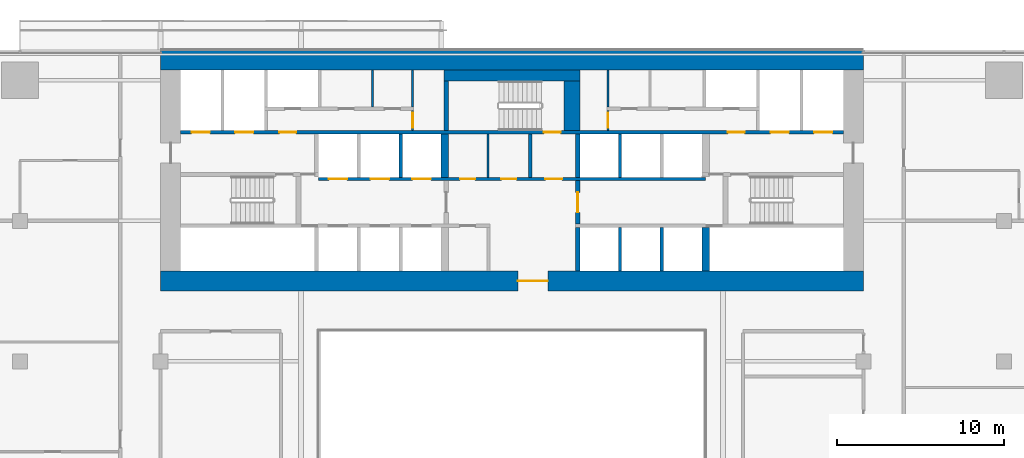
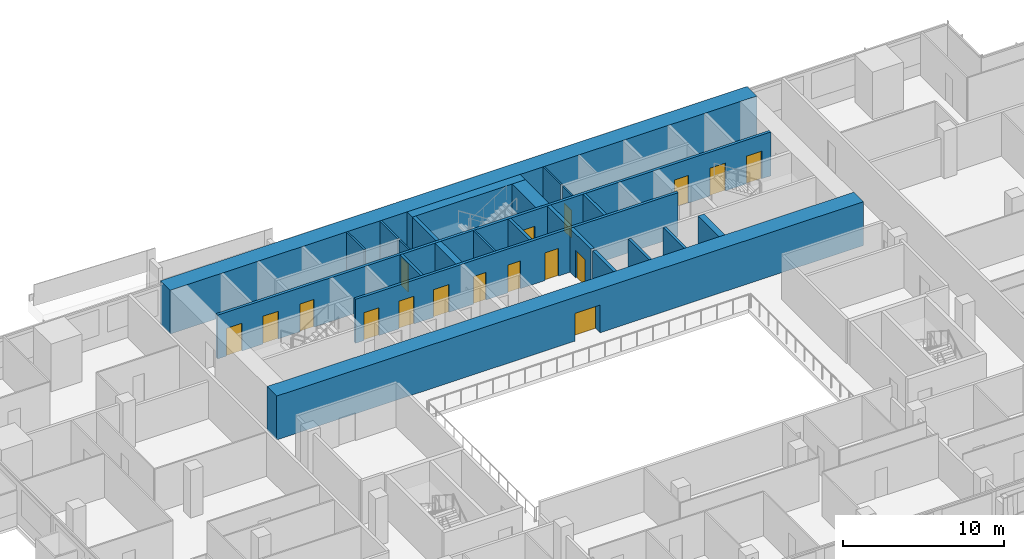
# One storey, part 21 of 27: 23 walls, 17 doors, 17 openings.
"""IFC4 building model written with IfcOpenShell, lengths in metres."""

import ifcopenshell
import ifcopenshell.guid

model = None  # the IFC model being written
_history = None  # IfcOwnerHistory: only IFC2X3 demands one
_inside = {}  # id of a spatial element -> (the spatial element, [elements in it])
_under = {}  # id of a project, library or spatial element -> (it, [spatial elements below it])
_declared = {}  # id of a project -> (the project, [libraries it declares])
_typed = {}  # id of a type object -> (the type object, [elements of that type])
_made_of = {}  # id of a material, layer set ... -> (it, [elements and type objects made of it])


def new_model(schema):
    """Start an empty IFC model of exactly this schema.

    Asked for "IFC4X3", IfcOpenShell would pick the latest addendum, in which some entities
    have other attributes; the version numbers below select the first issue.
    IFC2X3 requires an IfcOwnerHistory on every rooted entity: one is made here for all.
    """
    global model, _history
    if schema == "IFC4X3":
        model = ifcopenshell.file(schema_version=(4, 3, 0, 0))
    else:
        model = ifcopenshell.file(schema=schema)
    _inside.clear()
    _under.clear()
    _declared.clear()
    _typed.clear()
    _made_of.clear()
    _history = None
    if model.schema == "IFC2X3":
        org = make("IfcOrganization", Name="unknown")
        user = make(
            "IfcPersonAndOrganization",
            ThePerson=make("IfcPerson", FamilyName="unknown"),
            TheOrganization=org,
        )
        app = make(
            "IfcApplication",
            ApplicationDeveloper=org,
            Version="unknown",
            ApplicationFullName="unknown",
            ApplicationIdentifier="unknown",
        )
        _history = make(
            "IfcOwnerHistory",
            OwningUser=user,
            OwningApplication=app,
            ChangeAction="ADDED",
            CreationDate=0,
        )
    return model


def make(cls, **values):
    """One entity of the class cls with the attributes given. An attribute that is None is left unset."""
    return model.create_entity(
        cls, **{name: value for name, value in values.items() if value is not None}
    )


def rooted(cls, **values):
    """An entity with a GlobalId (a new one), such as an element, a storey or a relation."""
    return make(cls, GlobalId=ifcopenshell.guid.new(), OwnerHistory=_history, **values)


def si_unit(unit_type, name, prefix=None):
    """IfcSIUnit, for example si_unit("LENGTHUNIT", "METRE", prefix="MILLI")."""
    return make("IfcSIUnit", UnitType=unit_type, Prefix=prefix, Name=name)


def assignment(units):
    """IfcUnitAssignment: the units of a project."""
    return None if units is None else make("IfcUnitAssignment", Units=units)


def point(xyz):
    """IfcCartesianPoint."""
    return None if xyz is None else make("IfcCartesianPoint", Coordinates=xyz)


def direction(xyz):
    """IfcDirection."""
    return None if xyz is None else make("IfcDirection", DirectionRatios=xyz)


def frame(location, z_axis=None, x_axis=None):
    """IfcAxis2Placement3D, a coordinate frame: its origin and axes. An axis left out is left unset."""
    return make(
        "IfcAxis2Placement3D",
        Location=point(location),
        Axis=direction(z_axis),
        RefDirection=direction(x_axis),
    )


def frame_2d(location, x_axis=None):
    """IfcAxis2Placement2D, a coordinate frame in the plane: its origin and x axis."""
    return make(
        "IfcAxis2Placement2D", Location=point(location), RefDirection=direction(x_axis)
    )


def origin():
    """The frame at (0, 0, 0) with its axes left unset."""
    return frame((0.0, 0.0, 0.0))


def place(relative_to, where):
    """IfcLocalPlacement: puts the frame where relative to a parent placement (None: the world)."""
    return make(
        "IfcLocalPlacement", PlacementRelTo=relative_to, RelativePlacement=where
    )


def context(
    kind, dimensions, precision=None, world=None, true_north=None, identifier=None
):
    """IfcGeometricRepresentationContext, for example the 3D "Model" context."""
    return make(
        "IfcGeometricRepresentationContext",
        ContextIdentifier=identifier,
        ContextType=kind,
        CoordinateSpaceDimension=dimensions,
        Precision=precision,
        WorldCoordinateSystem=world,
        TrueNorth=true_north,
    )


def subcontext(parent, identifier, kind, view, scale=None):
    """IfcGeometricRepresentationSubContext, for example "Body" below "Model"."""
    return make(
        "IfcGeometricRepresentationSubContext",
        ContextIdentifier=identifier,
        ContextType=kind,
        ParentContext=parent,
        TargetScale=scale,
        TargetView=view,
    )


def project(units=None, contexts=None):
    """IfcProject with its units and contexts."""
    return rooted(
        "IfcProject",
        Name="project",
        RepresentationContexts=contexts,
        UnitsInContext=assignment(units),
    )


def spatial(cls, under=None, at=None, **own):
    """A site, building, storey or space (cls), placed at a placement, below another one or the project."""
    s = rooted(cls, ObjectPlacement=at, **own)
    if under is not None:
        _under.setdefault(under.id(), (under, []))[1].append(s)
    return s


def profile(cls, at=None, kind="AREA", **sizes):
    """A parametric profile (cls). Its sizes go by their IFC names, for example OverallWidth=200.0."""
    return make(cls, ProfileType=kind, Position=at, **sizes)


def rectangle(**sizes):
    """IfcRectangleProfileDef."""
    return profile("IfcRectangleProfileDef", **sizes)


def extrude(swept, where, along, depth):
    """IfcExtrudedAreaSolid: the profile swept, set in the frame where, extruded along a direction by depth."""
    return make(
        "IfcExtrudedAreaSolid",
        SweptArea=swept,
        Position=where,
        ExtrudedDirection=direction(along),
        Depth=depth,
    )


def shape(context_of_items, identifier, shape_type, items):
    """IfcShapeRepresentation: the items that make up one representation, for example the "Body"."""
    return make(
        "IfcShapeRepresentation",
        ContextOfItems=context_of_items,
        RepresentationIdentifier=identifier,
        RepresentationType=shape_type,
        Items=items,
    )


def material(Name=None, Category=None):
    """IfcMaterial."""
    return make("IfcMaterial", Name=Name, Category=Category)


def layer(
    of_material, thickness, ventilated=None, Name=None, Category=None, Priority=None
):
    """IfcMaterialLayer: one layer of a wall or slab, of a material (None: an air gap)."""
    return make(
        "IfcMaterialLayer",
        Material=of_material,
        LayerThickness=thickness,
        IsVentilated=ventilated,
        Name=Name,
        Category=Category,
        Priority=Priority,
    )


def layer_set(layers, Name=None):
    """IfcMaterialLayerSet."""
    return make("IfcMaterialLayerSet", MaterialLayers=layers, LayerSetName=Name)


def made_of(thing, what):
    """Note that an element or type object is made of a material, layer set ...; save() writes the relation."""
    if what is not None:
        _made_of.setdefault(what.id(), (what, []))[1].append(thing)
    return thing


def type_object(cls, material=None, **own):
    """A type object (cls), such as IfcWallType, which elements share."""
    return made_of(rooted(cls, **own), material)


def element(
    cls,
    number,
    at=None,
    inside=None,
    cuts=None,
    type_object=None,
    material=None,
    context=None,
    identifier="Body",
    shape_type=None,
    held_by="IfcProductDefinitionShape",
    body=None,
    shapes=None,
    **own,
):
    """One element of the class cls, such as IfcWall. Its Tag is "e" and its number.

    at: its placement. inside: the storey or other place that contains it. cuts: it is an
    opening in that element (IfcRelVoidsElement). A single representation is given by context,
    identifier, shape_type and body (its items); several are given by shapes. held_by: the class
    of the entity that holds the representations. save() writes the other relations.
    """
    e = rooted(cls, Tag="e%d" % number, ObjectPlacement=at, **own)
    if body is not None:
        shapes = [shape(context, identifier, shape_type, body)]
    if shapes is not None:
        e.Representation = make(held_by, Representations=shapes)
    if inside is not None:
        _inside.setdefault(inside.id(), (inside, []))[1].append(e)
    if cuts is not None:
        rooted(
            "IfcRelVoidsElement", RelatingBuildingElement=cuts, RelatedOpeningElement=e
        )
    if type_object is not None:
        _typed.setdefault(type_object.id(), (type_object, []))[1].append(e)
    return made_of(e, material)


def fill(opening, filler):
    """IfcRelFillsElement: the door or window that sits in an opening."""
    return rooted(
        "IfcRelFillsElement",
        RelatingOpeningElement=opening,
        RelatedBuildingElement=filler,
    )


def aggregate(whole, parts):
    """IfcRelAggregates: a whole, such as a stair, and the parts it consists of."""
    return rooted("IfcRelAggregates", RelatingObject=whole, RelatedObjects=parts)


def save(model, path):
    """Write the relations noted so far, then the file.

    IfcRelAggregates (storeys below a building ...), IfcRelContainedInSpatialStructure (elements
    in a storey), IfcRelDefinesByType, IfcRelAssociatesMaterial and IfcRelDeclares: one each for
    every whole, place, type object, material and project.
    """
    for whole, parts in _under.values():
        aggregate(whole, parts)
    for where, things in _inside.values():
        rooted(
            "IfcRelContainedInSpatialStructure",
            RelatedElements=things,
            RelatingStructure=where,
        )
    for kind, things in _typed.values():
        rooted("IfcRelDefinesByType", RelatedObjects=things, RelatingType=kind)
    for what, things in _made_of.values():
        rooted("IfcRelAssociatesMaterial", RelatedObjects=things, RelatingMaterial=what)
    for by, libraries in _declared.values():
        rooted("IfcRelDeclares", RelatingContext=by, RelatedDefinitions=libraries)
    model.write(path)


model = new_model("IFC4")

# Units and contexts
model_context = context("Model", 3, precision=1e-05, world=origin(), true_north=direction((0.0, 1.0)))
body_context = subcontext(model_context, "Body", "Model", "MODEL_VIEW")
ifc_project = project(units=[si_unit("LENGTHUNIT", "METRE"), si_unit("AREAUNIT", "SQUARE_METRE"), si_unit("VOLUMEUNIT", "CUBIC_METRE"), si_unit("PLANEANGLEUNIT", "RADIAN"), si_unit("MASSUNIT", "GRAM", prefix="KILO")], contexts=[model_context])

# Site, building, storey
site_placement = place(None, origin())
site = spatial("IfcSite", under=ifc_project, at=site_placement, CompositionType="ELEMENT")
building_placement = place(site_placement, origin())
building = spatial("IfcBuilding", under=site, at=building_placement, Name="Saffron Gate Tower", CompositionType="ELEMENT")
storey_placement = place(building_placement, frame((0.0, 0.0, 44.39990234375)))
storey = spatial("IfcBuildingStorey", under=building, at=storey_placement, Name="L09", CompositionType="ELEMENT", Elevation=44.39990234375)

# Wall, opening, door
ifc_material_1 = material(Name="Concrete C70", Category="concrete")
ifc_layer_1 = layer(ifc_material_1, 1.199951171875)
ifc_layer_set_1 = layer_set([ifc_layer_1], Name="CW1 RC core wall 1200 C70")
wall_type_1 = type_object("IfcWallType", Name="CW1 RC core wall 1200 C70", PredefinedType="SOLIDWALL", material=ifc_layer_set_1)
wall_1_placement = place(storey_placement, frame((66.60009765625, 61.800048828125, 0.0), z_axis=(0.0, 0.0, 1.0), x_axis=(1.0, 0.0, 0.0)))
wall_1 = element("IfcWall", 1, at=wall_1_placement, inside=storey, type_object=wall_type_1, Name="Wall CW1-L09-1", PredefinedType="SOLIDWALL", context=body_context, shape_type="SweptSolid", body=[
    extrude(rectangle(XDim=42.0, YDim=1.199951171875, at=frame_2d((21.0, 0.0))), origin(), (0.0, 0.0, 1.0), 3.320068359375),
])
opening_1_placement = place(wall_1_placement, frame((21.35009765625, 0.0, 0.0)))
opening_1 = element("IfcOpeningElement", 2, at=opening_1_placement, cuts=wall_1, Name="Opening CR-09", PredefinedType="OPENING", context=body_context, shape_type="SweptSolid", body=[
    extrude(rectangle(XDim=1.800048828125, YDim=2.10009765625, at=frame_2d((0.89990234375, 1.050048828125))), frame((0.0, 0.60986328125, 0.0), z_axis=(0.0, -1.0, 0.0), x_axis=(1.0, 0.0, 0.0)), (0.0, 0.0, 1.0), 1.219970703125),
])
ifc_material_2 = material(Name="Steel fire door set", Category="steel")
door_type_1 = type_object("IfcDoorType", Name="CD1 Core entrance door 1800x2100 EI 120", OperationType="NOTDEFINED", PredefinedType="DOOR", material=ifc_material_2)
door_1_placement = place(opening_1_placement, origin())
door_1 = element("IfcDoor", 3, at=door_1_placement, inside=storey, type_object=door_type_1, Name="DOOR CR-09", OperationType="DOUBLE_DOOR_SINGLE_SWING", OverallHeight=2.10009765625, OverallWidth=1.800048828125, PredefinedType="DOOR", context=body_context, shape_type="SweptSolid", body=[
    extrude(rectangle(XDim=1.800048828125, YDim=2.10009765625, at=frame_2d((0.89990234375, 1.050048828125))), frame((0.0, 0.02490234375, 0.0), z_axis=(0.0, -1.0, 0.0), x_axis=(1.0, 0.0, 0.0)), (0.0, 0.0, 1.0), 0.050048828125),
])
fill(opening_1, door_1)

# Walls
wall_2_placement = place(storey_placement, frame((66.60009765625, 75.0, 0.0), z_axis=(0.0, 0.0, 1.0), x_axis=(1.0, 0.0, 0.0)))
element("IfcWall", 4, at=wall_2_placement, inside=storey, type_object=wall_type_1, Name="Wall CW1-L09-2", PredefinedType="SOLIDWALL", context=body_context, shape_type="SweptSolid", body=[
    extrude(rectangle(XDim=42.0, YDim=1.199951171875, at=frame_2d((21.0, 0.0))), origin(), (0.0, 0.0, 1.0), 3.320068359375),
])
ifc_material_3 = material(Name="Gypsum board partition on steel studs", Category="steel")
ifc_layer_2 = layer(ifc_material_3, 0.199951171875)
ifc_layer_set_2 = layer_set([ifc_layer_2], Name="CW10 Core partition 200")
wall_type_2 = type_object("IfcWallType", Name="CW10 Core partition 200", PredefinedType="PARTITIONING", material=ifc_layer_set_2)
wall_3_placement = place(storey_placement, frame((88.699951171875, 68.0, 0.0), z_axis=(0.0, 0.0, 1.0), x_axis=(0.0, 1.0, 0.0)))
element("IfcWall", 5, at=wall_3_placement, inside=storey, type_object=wall_type_2, Name="Wall CW10-L09-25", PredefinedType="PARTITIONING", context=body_context, shape_type="SweptSolid", body=[
    extrude(rectangle(XDim=2.60009765625, YDim=0.199951171875, at=frame_2d((1.300048828125, 0.0))), origin(), (0.0, 0.0, 1.0), 3.320068359375),
])
ifc_layer_3 = layer(ifc_material_1, 0.25)
ifc_layer_set_3 = layer_set([ifc_layer_3], Name="CW2 RC core wall 250 C70")
wall_type_3 = type_object("IfcWallType", Name="CW2 RC core wall 250 C70", PredefinedType="SOLIDWALL", material=ifc_layer_set_3)
wall_4_placement = place(storey_placement, frame((91.52490234375, 62.39990234375, 0.0), z_axis=(0.0, 0.0, 1.0), x_axis=(0.0, 1.0, 0.0)))
element("IfcWall", 6, at=wall_4_placement, inside=storey, type_object=wall_type_3, Name="Wall CW2-L09-10", PredefinedType="SOLIDWALL", context=body_context, shape_type="SweptSolid", body=[
    extrude(rectangle(XDim=2.60009765625, YDim=0.25, at=frame_2d((1.300048828125, 0.0))), origin(), (0.0, 0.0, 1.0), 3.320068359375),
])

# Wall, opening, door
wall_5_placement = place(storey_placement, frame((91.52490234375, 65.199951171875, 0.0), z_axis=(0.0, 0.0, 1.0), x_axis=(0.0, 1.0, 0.0)))
wall_5 = element("IfcWall", 7, at=wall_5_placement, inside=storey, type_object=wall_type_3, Name="Wall CW2-L09-18", PredefinedType="SOLIDWALL", context=body_context, shape_type="SweptSolid", body=[
    extrude(rectangle(XDim=2.60009765625, YDim=0.25, at=frame_2d((1.300048828125, 0.0))), origin(), (0.0, 0.0, 1.0), 3.320068359375),
])
opening_2_placement = place(wall_5_placement, frame((0.699951171875, 0.0, 0.0)))
opening_2 = element("IfcOpeningElement", 8, at=opening_2_placement, cuts=wall_5, Name="Opening CR-01", PredefinedType="OPENING", context=body_context, shape_type="SweptSolid", body=[
    extrude(rectangle(XDim=1.199951171875, YDim=2.10009765625, at=frame_2d((0.60009765625, 1.050048828125))), frame((0.0, 0.135009765625, 0.0), z_axis=(0.0, -1.0, 0.0), x_axis=(1.0, 0.0, 0.0)), (0.0, 0.0, 1.0), 0.27001953125),
])
door_type_2 = type_object("IfcDoorType", Name="CD3 Lobby door 1200x2100 EI 120", OperationType="NOTDEFINED", PredefinedType="DOOR", material=ifc_material_2)
door_2_placement = place(opening_2_placement, origin())
door_2 = element("IfcDoor", 9, at=door_2_placement, inside=storey, type_object=door_type_2, Name="DOOR CR-01", OperationType="SINGLE_SWING_RIGHT", OverallHeight=2.10009765625, OverallWidth=1.199951171875, PredefinedType="DOOR", context=body_context, shape_type="SweptSolid", body=[
    extrude(rectangle(XDim=1.199951171875, YDim=2.10009765625, at=frame_2d((0.60009765625, 1.050048828125))), frame((0.0, 0.02490234375, 0.0), z_axis=(0.0, -1.0, 0.0), x_axis=(1.0, 0.0, 0.0)), (0.0, 0.0, 1.0), 0.050048828125),
])
fill(opening_2, door_2)

# Walls
wall_6_placement = place(storey_placement, frame((91.52490234375, 68.0, 0.0), z_axis=(0.0, 0.0, 1.0), x_axis=(0.0, 1.0, 0.0)))
element("IfcWall", 10, at=wall_6_placement, inside=storey, type_object=wall_type_3, Name="Wall CW2-L09-26", PredefinedType="SOLIDWALL", context=body_context, shape_type="SweptSolid", body=[
    extrude(rectangle(XDim=2.60009765625, YDim=0.25, at=frame_2d((1.300048828125, 0.0))), origin(), (0.0, 0.0, 1.0), 3.320068359375),
])
wall_7_placement = place(storey_placement, frame((83.675048828125, 70.800048828125, 0.0), z_axis=(0.0, 0.0, 1.0), x_axis=(0.0, 1.0, 0.0)))
element("IfcWall", 11, at=wall_7_placement, inside=storey, type_object=wall_type_3, Name="Wall CW2-L09-38", PredefinedType="SOLIDWALL", context=body_context, shape_type="SweptSolid", body=[
    extrude(rectangle(XDim=2.949951171875, YDim=0.25, at=frame_2d((1.47509765625, 0.0))), origin(), (0.0, 0.0, 1.0), 3.320068359375),
])
ifc_layer_4 = layer(ifc_material_1, 0.199951171875)
ifc_layer_set_4 = layer_set([ifc_layer_4], Name="CW3 RC core wall 200 C70")
wall_type_4 = type_object("IfcWallType", Name="CW3 RC core wall 200 C70", PredefinedType="SOLIDWALL", material=ifc_layer_set_4)
for number, where, z_axis, x_axis, name in (
    (12, (94.050048828125, 62.39990234375, 0.0), (0.0, 0.0, 1.0), (0.0, 1.0, 0.0), "Wall CW3-L09-11"),
    (13, (96.550048828125, 62.39990234375, 0.0), (0.0, 0.0, 1.0), (0.0, 1.0, 0.0), "Wall CW3-L09-12"),
):
    element("IfcWall", number, at=place(storey_placement, frame(where, z_axis=z_axis, x_axis=x_axis)), inside=storey, type_object=wall_type_4, Name=name, PredefinedType="SOLIDWALL", context=body_context, shape_type="SweptSolid", body=[
        extrude(rectangle(XDim=2.60009765625, YDim=0.199951171875, at=frame_2d((1.300048828125, 0.0))), origin(), (0.0, 0.0, 1.0), 3.320068359375),
    ])

# Wall, openings, doors
wall_8_placement = place(storey_placement, frame((76.050048828125, 67.89990234375, 0.0), z_axis=(0.0, 0.0, 1.0), x_axis=(1.0, 0.0, 0.0)))
wall_8 = element("IfcWall", 14, at=wall_8_placement, inside=storey, type_object=wall_type_4, Name="Wall CW3-L09-20", PredefinedType="SOLIDWALL", context=body_context, shape_type="SweptSolid", body=[
    extrude(rectangle(XDim=23.099853515625, YDim=0.199951171875, at=frame_2d((11.5498046875, 0.0))), origin(), (0.0, 0.0, 1.0), 3.320068359375),
])
opening_3_placement = place(wall_8_placement, frame((0.60009765625, 0.0, 0.0)))
opening_3 = element("IfcOpeningElement", 15, at=opening_3_placement, cuts=wall_8, Name="Opening LD-LR4", PredefinedType="OPENING", context=body_context, shape_type="SweptSolid", body=[
    extrude(rectangle(XDim=1.10009765625, YDim=2.10009765625, at=frame_2d((0.550048828125, 1.050048828125))), frame((0.0, 0.10986328125, 0.0), z_axis=(0.0, -1.0, 0.0), x_axis=(1.0, 0.0, 0.0)), (0.0, 0.0, 1.0), 0.219970703125),
])
opening_4_placement = place(wall_8_placement, frame((3.10009765625, 0.0, 0.0)))
opening_4 = element("IfcOpeningElement", 16, at=opening_4_placement, cuts=wall_8, Name="Opening LD-LR5", PredefinedType="OPENING", context=body_context, shape_type="SweptSolid", body=[
    extrude(rectangle(XDim=1.10009765625, YDim=2.10009765625, at=frame_2d((0.550048828125, 1.050048828125))), frame((0.0, 0.10986328125, 0.0), z_axis=(0.0, -1.0, 0.0), x_axis=(1.0, 0.0, 0.0)), (0.0, 0.0, 1.0), 0.219970703125),
])
opening_5_placement = place(wall_8_placement, frame((5.60009765625, 0.0, 0.0)))
opening_5 = element("IfcOpeningElement", 17, at=opening_5_placement, cuts=wall_8, Name="Opening LD-LR6", PredefinedType="OPENING", context=body_context, shape_type="SweptSolid", body=[
    extrude(rectangle(XDim=1.10009765625, YDim=2.10009765625, at=frame_2d((0.550048828125, 1.050048828125))), frame((0.0, 0.10986328125, 0.0), z_axis=(0.0, -1.0, 0.0), x_axis=(1.0, 0.0, 0.0)), (0.0, 0.0, 1.0), 0.219970703125),
])
opening_6_placement = place(wall_8_placement, frame((8.449951171875, 0.0, 0.0)))
opening_6 = element("IfcOpeningElement", 18, at=opening_6_placement, cuts=wall_8, Name="Opening CR-67", PredefinedType="OPENING", context=body_context, shape_type="SweptSolid", body=[
    extrude(rectangle(XDim=0.89990234375, YDim=2.10009765625, at=frame_2d((0.449951171875, 1.050048828125))), frame((0.0, 0.10986328125, 0.0), z_axis=(0.0, -1.0, 0.0), x_axis=(1.0, 0.0, 0.0)), (0.0, 0.0, 1.0), 0.219970703125),
])
opening_7_placement = place(wall_8_placement, frame((10.909912109375, 0.0, 0.0)))
opening_7 = element("IfcOpeningElement", 19, at=opening_7_placement, cuts=wall_8, Name="Opening CR-68", PredefinedType="OPENING", context=body_context, shape_type="SweptSolid", body=[
    extrude(rectangle(XDim=0.89990234375, YDim=2.10009765625, at=frame_2d((0.449951171875, 1.050048828125))), frame((0.0, 0.10986328125, 0.0), z_axis=(0.0, -1.0, 0.0), x_axis=(1.0, 0.0, 0.0)), (0.0, 0.0, 1.0), 0.219970703125),
])
opening_8_placement = place(wall_8_placement, frame((13.550048828125, 0.0, 0.0)))
opening_8 = element("IfcOpeningElement", 20, at=opening_8_placement, cuts=wall_8, Name="Opening CR-02", PredefinedType="OPENING", context=body_context, shape_type="SweptSolid", body=[
    extrude(rectangle(XDim=1.0, YDim=2.10009765625, at=frame_2d((0.5, 1.050048828125))), frame((0.0, 0.10986328125, 0.0), z_axis=(0.0, -1.0, 0.0), x_axis=(1.0, 0.0, 0.0)), (0.0, 0.0, 1.0), 0.219970703125),
])
door_type_3 = type_object("IfcDoorType", Name="CD4 Lobby door 1000x2100 EI 120", OperationType="NOTDEFINED", PredefinedType="DOOR", material=ifc_material_2)
door_3_placement = place(opening_8_placement, origin())
door_3 = element("IfcDoor", 21, at=door_3_placement, inside=storey, type_object=door_type_3, Name="DOOR CR-02", OperationType="SINGLE_SWING_LEFT", OverallHeight=2.10009765625, OverallWidth=1.0, PredefinedType="DOOR", context=body_context, shape_type="SweptSolid", body=[
    extrude(rectangle(XDim=1.0, YDim=2.10009765625, at=frame_2d((0.5, 1.050048828125))), frame((0.0, 0.02490234375, 0.0), z_axis=(0.0, -1.0, 0.0), x_axis=(1.0, 0.0, 0.0)), (0.0, 0.0, 1.0), 0.050048828125),
])
fill(opening_8, door_3)
door_type_4 = type_object("IfcDoorType", Name="CD9 Room door 900x2100 EI 60", OperationType="NOTDEFINED", PredefinedType="DOOR", material=ifc_material_2)
door_4_placement = place(opening_6_placement, origin())
door_4 = element("IfcDoor", 22, at=door_4_placement, inside=storey, type_object=door_type_4, Name="DOOR CR-67", OperationType="SINGLE_SWING_LEFT", OverallHeight=2.10009765625, OverallWidth=0.89990234375, PredefinedType="DOOR", context=body_context, shape_type="SweptSolid", body=[
    extrude(rectangle(XDim=0.89990234375, YDim=2.10009765625, at=frame_2d((0.449951171875, 1.050048828125))), frame((0.0, 0.02490234375, 0.0), z_axis=(0.0, -1.0, 0.0), x_axis=(1.0, 0.0, 0.0)), (0.0, 0.0, 1.0), 0.050048828125),
])
fill(opening_6, door_4)
door_5_placement = place(opening_7_placement, origin())
door_5 = element("IfcDoor", 23, at=door_5_placement, inside=storey, type_object=door_type_4, Name="DOOR CR-68", OperationType="SINGLE_SWING_LEFT", OverallHeight=2.10009765625, OverallWidth=0.89990234375, PredefinedType="DOOR", context=body_context, shape_type="SweptSolid", body=[
    extrude(rectangle(XDim=0.89990234375, YDim=2.10009765625, at=frame_2d((0.449951171875, 1.050048828125))), frame((0.0, 0.02490234375, 0.0), z_axis=(0.0, -1.0, 0.0), x_axis=(1.0, 0.0, 0.0)), (0.0, 0.0, 1.0), 0.050048828125),
])
fill(opening_7, door_5)
ifc_material_4 = material(Name="Stainless steel landing door", Category="steel")
door_type_5 = type_object("IfcDoorType", Name="LD Lift landing door 1100x2100 EI 120", OperationType="SLIDING_TO_LEFT", PredefinedType="DOOR", material=ifc_material_4)
door_6_placement = place(opening_3_placement, origin())
door_6 = element("IfcDoor", 24, at=door_6_placement, inside=storey, type_object=door_type_5, Name="LANDING DOOR LD-LR4", OperationType="SLIDING_TO_RIGHT", OverallHeight=2.10009765625, OverallWidth=1.10009765625, PredefinedType="DOOR", context=body_context, shape_type="SweptSolid", body=[
    extrude(rectangle(XDim=1.10009765625, YDim=2.10009765625, at=frame_2d((0.550048828125, 1.050048828125))), frame((0.0, 0.02490234375, 0.0), z_axis=(0.0, -1.0, 0.0), x_axis=(1.0, 0.0, 0.0)), (0.0, 0.0, 1.0), 0.050048828125),
])
fill(opening_3, door_6)
door_7_placement = place(opening_4_placement, origin())
door_7 = element("IfcDoor", 25, at=door_7_placement, inside=storey, type_object=door_type_5, Name="LANDING DOOR LD-LR5", OperationType="SLIDING_TO_RIGHT", OverallHeight=2.10009765625, OverallWidth=1.10009765625, PredefinedType="DOOR", context=body_context, shape_type="SweptSolid", body=[
    extrude(rectangle(XDim=1.10009765625, YDim=2.10009765625, at=frame_2d((0.550048828125, 1.050048828125))), frame((0.0, 0.02490234375, 0.0), z_axis=(0.0, -1.0, 0.0), x_axis=(1.0, 0.0, 0.0)), (0.0, 0.0, 1.0), 0.050048828125),
])
fill(opening_4, door_7)
door_8_placement = place(opening_5_placement, origin())
door_8 = element("IfcDoor", 26, at=door_8_placement, inside=storey, type_object=door_type_5, Name="LANDING DOOR LD-LR6", OperationType="SLIDING_TO_RIGHT", OverallHeight=2.10009765625, OverallWidth=1.10009765625, PredefinedType="DOOR", context=body_context, shape_type="SweptSolid", body=[
    extrude(rectangle(XDim=1.10009765625, YDim=2.10009765625, at=frame_2d((0.550048828125, 1.050048828125))), frame((0.0, 0.02490234375, 0.0), z_axis=(0.0, -1.0, 0.0), x_axis=(1.0, 0.0, 0.0)), (0.0, 0.0, 1.0), 0.050048828125),
])
fill(opening_5, door_8)

# Walls
for number, where, z_axis, x_axis, name in (
    (27, (80.949951171875, 68.0, 0.0), (0.0, 0.0, 1.0), (0.0, 1.0, 0.0), "Wall CW3-L09-22"),
    (28, (94.050048828125, 68.0, 0.0), (0.0, 0.0, 1.0), (0.0, 1.0, 0.0), "Wall CW3-L09-27"),
):
    element("IfcWall", number, at=place(storey_placement, frame(where, z_axis=z_axis, x_axis=x_axis)), inside=storey, type_object=wall_type_4, Name=name, PredefinedType="SOLIDWALL", context=body_context, shape_type="SweptSolid", body=[
        extrude(rectangle(XDim=2.60009765625, YDim=0.199951171875, at=frame_2d((1.300048828125, 0.0))), origin(), (0.0, 0.0, 1.0), 3.320068359375),
    ])

# Wall, openings, doors
wall_9_placement = place(storey_placement, frame((67.800048828125, 70.699951171875, 0.0), z_axis=(0.0, 0.0, 1.0), x_axis=(1.0, 0.0, 0.0)))
wall_9 = element("IfcWall", 29, at=wall_9_placement, inside=storey, type_object=wall_type_4, Name="Wall CW3-L09-34", PredefinedType="SOLIDWALL", context=body_context, shape_type="SweptSolid", body=[
    extrude(rectangle(XDim=39.599853515625, YDim=0.199951171875, at=frame_2d((19.7998046875, 0.0))), origin(), (0.0, 0.0, 1.0), 3.320068359375),
])
opening_9_placement = place(wall_9_placement, frame((0.64990234375, 0.0, 0.0)))
opening_9 = element("IfcOpeningElement", 30, at=opening_9_placement, cuts=wall_9, Name="Opening LD-FF1", PredefinedType="OPENING", context=body_context, shape_type="SweptSolid", body=[
    extrude(rectangle(XDim=1.10009765625, YDim=2.10009765625, at=frame_2d((0.550048828125, 1.050048828125))), frame((0.0, 0.10986328125, 0.0), z_axis=(0.0, -1.0, 0.0), x_axis=(1.0, 0.0, 0.0)), (0.0, 0.0, 1.0), 0.219970703125),
])
opening_10_placement = place(wall_9_placement, frame((3.25, 0.0, 0.0)))
opening_10 = element("IfcOpeningElement", 31, at=opening_10_placement, cuts=wall_9, Name="Opening LD-SV1", PredefinedType="OPENING", context=body_context, shape_type="SweptSolid", body=[
    extrude(rectangle(XDim=1.10009765625, YDim=2.10009765625, at=frame_2d((0.550048828125, 1.050048828125))), frame((0.0, 0.10986328125, 0.0), z_axis=(0.0, -1.0, 0.0), x_axis=(1.0, 0.0, 0.0)), (0.0, 0.0, 1.0), 0.219970703125),
])
opening_11_placement = place(wall_9_placement, frame((5.89990234375, 0.0, 0.0)))
opening_11 = element("IfcOpeningElement", 32, at=opening_11_placement, cuts=wall_9, Name="Opening CR-03", PredefinedType="OPENING", context=body_context, shape_type="SweptSolid", body=[
    extrude(rectangle(XDim=1.0, YDim=2.10009765625, at=frame_2d((0.5, 1.050048828125))), frame((0.0, 0.10986328125, 0.0), z_axis=(0.0, -1.0, 0.0), x_axis=(1.0, 0.0, 0.0)), (0.0, 0.0, 1.0), 0.219970703125),
])
opening_12_placement = place(wall_9_placement, frame((21.699951171875, 0.0, 0.0)))
opening_12 = element("IfcOpeningElement", 33, at=opening_12_placement, cuts=wall_9, Name="Opening CR-17", PredefinedType="OPENING", context=body_context, shape_type="SweptSolid", body=[
    extrude(rectangle(XDim=1.0, YDim=2.10009765625, at=frame_2d((0.5, 1.050048828125))), frame((0.0, 0.10986328125, 0.0), z_axis=(0.0, -1.0, 0.0), x_axis=(1.0, 0.0, 0.0)), (0.0, 0.0, 1.0), 0.219970703125),
])
opening_13_placement = place(wall_9_placement, frame((32.699951171875, 0.0, 0.0)))
opening_13 = element("IfcOpeningElement", 34, at=opening_13_placement, cuts=wall_9, Name="Opening CR-04", PredefinedType="OPENING", context=body_context, shape_type="SweptSolid", body=[
    extrude(rectangle(XDim=1.0, YDim=2.10009765625, at=frame_2d((0.5, 1.050048828125))), frame((0.0, 0.10986328125, 0.0), z_axis=(0.0, -1.0, 0.0), x_axis=(1.0, 0.0, 0.0)), (0.0, 0.0, 1.0), 0.219970703125),
])
opening_14_placement = place(wall_9_placement, frame((35.25, 0.0, 0.0)))
opening_14 = element("IfcOpeningElement", 35, at=opening_14_placement, cuts=wall_9, Name="Opening LD-SV2", PredefinedType="OPENING", context=body_context, shape_type="SweptSolid", body=[
    extrude(rectangle(XDim=1.10009765625, YDim=2.10009765625, at=frame_2d((0.550048828125, 1.050048828125))), frame((0.0, 0.10986328125, 0.0), z_axis=(0.0, -1.0, 0.0), x_axis=(1.0, 0.0, 0.0)), (0.0, 0.0, 1.0), 0.219970703125),
])
opening_15_placement = place(wall_9_placement, frame((37.85009765625, 0.0, 0.0)))
opening_15 = element("IfcOpeningElement", 36, at=opening_15_placement, cuts=wall_9, Name="Opening LD-FF2", PredefinedType="OPENING", context=body_context, shape_type="SweptSolid", body=[
    extrude(rectangle(XDim=1.10009765625, YDim=2.10009765625, at=frame_2d((0.550048828125, 1.050048828125))), frame((0.0, 0.10986328125, 0.0), z_axis=(0.0, -1.0, 0.0), x_axis=(1.0, 0.0, 0.0)), (0.0, 0.0, 1.0), 0.219970703125),
])
door_9_placement = place(opening_11_placement, origin())
door_9 = element("IfcDoor", 37, at=door_9_placement, inside=storey, type_object=door_type_3, Name="DOOR CR-03", OperationType="SINGLE_SWING_LEFT", OverallHeight=2.10009765625, OverallWidth=1.0, PredefinedType="DOOR", context=body_context, shape_type="SweptSolid", body=[
    extrude(rectangle(XDim=1.0, YDim=2.10009765625, at=frame_2d((0.5, 1.050048828125))), frame((0.0, 0.02490234375, 0.0), z_axis=(0.0, -1.0, 0.0), x_axis=(1.0, 0.0, 0.0)), (0.0, 0.0, 1.0), 0.050048828125),
])
fill(opening_11, door_9)
door_10_placement = place(opening_13_placement, origin())
door_10 = element("IfcDoor", 38, at=door_10_placement, inside=storey, type_object=door_type_3, Name="DOOR CR-04", OperationType="SINGLE_SWING_RIGHT", OverallHeight=2.10009765625, OverallWidth=1.0, PredefinedType="DOOR", context=body_context, shape_type="SweptSolid", body=[
    extrude(rectangle(XDim=1.0, YDim=2.10009765625, at=frame_2d((0.5, 1.050048828125))), frame((0.0, 0.02490234375, 0.0), z_axis=(0.0, -1.0, 0.0), x_axis=(1.0, 0.0, 0.0)), (0.0, 0.0, 1.0), 0.050048828125),
])
fill(opening_13, door_10)
door_type_6 = type_object("IfcDoorType", Name="CD5 Stair door 1000x2100 EI 120", OperationType="NOTDEFINED", PredefinedType="DOOR", material=ifc_material_2)
door_11_placement = place(opening_12_placement, origin())
door_11 = element("IfcDoor", 39, at=door_11_placement, inside=storey, type_object=door_type_6, Name="DOOR CR-17", OperationType="SINGLE_SWING_RIGHT", OverallHeight=2.10009765625, OverallWidth=1.0, PredefinedType="DOOR", context=body_context, shape_type="SweptSolid", body=[
    extrude(rectangle(XDim=1.0, YDim=2.10009765625, at=frame_2d((0.5, 1.050048828125))), frame((0.0, 0.02490234375, 0.0), z_axis=(0.0, -1.0, 0.0), x_axis=(1.0, 0.0, 0.0)), (0.0, 0.0, 1.0), 0.050048828125),
])
fill(opening_12, door_11)
door_12_placement = place(opening_9_placement, origin())
door_12 = element("IfcDoor", 40, at=door_12_placement, inside=storey, type_object=door_type_5, Name="LANDING DOOR LD-FF1", OperationType="SLIDING_TO_RIGHT", OverallHeight=2.10009765625, OverallWidth=1.10009765625, PredefinedType="DOOR", context=body_context, shape_type="SweptSolid", body=[
    extrude(rectangle(XDim=1.10009765625, YDim=2.10009765625, at=frame_2d((0.550048828125, 1.050048828125))), frame((0.0, 0.02490234375, 0.0), z_axis=(0.0, -1.0, 0.0), x_axis=(1.0, 0.0, 0.0)), (0.0, 0.0, 1.0), 0.050048828125),
])
fill(opening_9, door_12)
door_13_placement = place(opening_10_placement, origin())
door_13 = element("IfcDoor", 41, at=door_13_placement, inside=storey, type_object=door_type_5, Name="LANDING DOOR LD-SV1", OperationType="SLIDING_TO_RIGHT", OverallHeight=2.10009765625, OverallWidth=1.10009765625, PredefinedType="DOOR", context=body_context, shape_type="SweptSolid", body=[
    extrude(rectangle(XDim=1.10009765625, YDim=2.10009765625, at=frame_2d((0.550048828125, 1.050048828125))), frame((0.0, 0.02490234375, 0.0), z_axis=(0.0, -1.0, 0.0), x_axis=(1.0, 0.0, 0.0)), (0.0, 0.0, 1.0), 0.050048828125),
])
fill(opening_10, door_13)
door_14_placement = place(opening_14_placement, origin())
door_14 = element("IfcDoor", 42, at=door_14_placement, inside=storey, type_object=door_type_5, Name="LANDING DOOR LD-SV2", OperationType="SLIDING_TO_RIGHT", OverallHeight=2.10009765625, OverallWidth=1.10009765625, PredefinedType="DOOR", context=body_context, shape_type="SweptSolid", body=[
    extrude(rectangle(XDim=1.10009765625, YDim=2.10009765625, at=frame_2d((0.550048828125, 1.050048828125))), frame((0.0, 0.02490234375, 0.0), z_axis=(0.0, -1.0, 0.0), x_axis=(1.0, 0.0, 0.0)), (0.0, 0.0, 1.0), 0.050048828125),
])
fill(opening_14, door_14)
door_15_placement = place(opening_15_placement, origin())
door_15 = element("IfcDoor", 43, at=door_15_placement, inside=storey, type_object=door_type_5, Name="LANDING DOOR LD-FF2", OperationType="SLIDING_TO_RIGHT", OverallHeight=2.10009765625, OverallWidth=1.10009765625, PredefinedType="DOOR", context=body_context, shape_type="SweptSolid", body=[
    extrude(rectangle(XDim=1.10009765625, YDim=2.10009765625, at=frame_2d((0.550048828125, 1.050048828125))), frame((0.0, 0.02490234375, 0.0), z_axis=(0.0, -1.0, 0.0), x_axis=(1.0, 0.0, 0.0)), (0.0, 0.0, 1.0), 0.050048828125),
])
fill(opening_15, door_15)

# Walls
ifc_layer_5 = layer(ifc_material_1, 0.449951171875)
ifc_layer_set_5 = layer_set([ifc_layer_5], Name="CW4 RC core wall 450 C70")
wall_type_5 = type_object("IfcWallType", Name="CW4 RC core wall 450 C70", PredefinedType="SOLIDWALL", material=ifc_layer_set_5)
for number, where, z_axis, x_axis, name in (
    (44, (99.175048828125, 62.39990234375, 0.0), (0.0, 0.0, 1.0), (0.0, 1.0, 0.0), "Wall CW4-L09-13"),
    (45, (83.574951171875, 68.0, 0.0), (0.0, 0.0, 1.0), (0.0, 1.0, 0.0), "Wall CW4-L09-23"),
):
    element("IfcWall", number, at=place(storey_placement, frame(where, z_axis=z_axis, x_axis=x_axis)), inside=storey, type_object=wall_type_5, Name=name, PredefinedType="SOLIDWALL", context=body_context, shape_type="SweptSolid", body=[
        extrude(rectangle(XDim=2.60009765625, YDim=0.449951171875, at=frame_2d((1.300048828125, 0.0))), origin(), (0.0, 0.0, 1.0), 3.320068359375),
    ])
ifc_layer_6 = layer(ifc_material_1, 0.949951171875)
ifc_layer_set_6 = layer_set([ifc_layer_6], Name="CW7 RC core wall 950 C70")
wall_type_6 = type_object("IfcWallType", Name="CW7 RC core wall 950 C70", PredefinedType="SOLIDWALL", material=ifc_layer_set_6)
wall_10_placement = place(storey_placement, frame((91.175048828125, 70.800048828125, 0.0), z_axis=(0.0, 0.0, 1.0), x_axis=(0.0, 1.0, 0.0)))
element("IfcWall", 46, at=wall_10_placement, inside=storey, type_object=wall_type_6, Name="Wall CW7-L09-39", PredefinedType="SOLIDWALL", context=body_context, shape_type="SweptSolid", body=[
    extrude(rectangle(XDim=2.949951171875, YDim=0.949951171875, at=frame_2d((1.47509765625, 0.0))), origin(), (0.0, 0.0, 1.0), 3.320068359375),
])
ifc_layer_7 = layer(ifc_material_3, 0.1201171875)
ifc_layer_set_7 = layer_set([ifc_layer_7], Name="CW8 Core partition 120")
wall_type_7 = type_object("IfcWallType", Name="CW8 Core partition 120", PredefinedType="PARTITIONING", material=ifc_layer_set_7)
wall_11_placement = place(storey_placement, frame((86.159912109375, 68.0, 0.0), z_axis=(0.0, 0.0, 1.0), x_axis=(0.0, 1.0, 0.0)))
element("IfcWall", 47, at=wall_11_placement, inside=storey, type_object=wall_type_7, Name="Wall CW8-L09-24", PredefinedType="PARTITIONING", context=body_context, shape_type="SweptSolid", body=[
    extrude(rectangle(XDim=2.60009765625, YDim=0.1201171875, at=frame_2d((1.300048828125, 0.0))), origin(), (0.0, 0.0, 1.0), 3.320068359375),
])

# Wall, opening, door
wall_12_placement = place(storey_placement, frame((81.659912109375, 70.800048828125, 0.0), z_axis=(0.0, 0.0, 1.0), x_axis=(0.0, 1.0, 0.0)))
wall_12 = element("IfcWall", 48, at=wall_12_placement, inside=storey, type_object=wall_type_7, Name="Wall CW8-L09-37", PredefinedType="PARTITIONING", context=body_context, shape_type="SweptSolid", body=[
    extrude(rectangle(XDim=1.199951171875, YDim=0.1201171875, at=frame_2d((0.60009765625, 0.0))), origin(), (0.0, 0.0, 1.0), 3.320068359375),
])
opening_16_placement = place(wall_12_placement, frame((0.14990234375, 0.0, 0.0)))
opening_16 = element("IfcOpeningElement", 49, at=opening_16_placement, cuts=wall_12, Name="Opening CR-60", PredefinedType="OPENING", context=body_context, shape_type="SweptSolid", body=[
    extrude(rectangle(XDim=0.89990234375, YDim=2.10009765625, at=frame_2d((0.449951171875, 1.050048828125))), frame((0.0, 0.070068359375, 0.0), z_axis=(0.0, -1.0, 0.0), x_axis=(1.0, 0.0, 0.0)), (0.0, 0.0, 1.0), 0.14013671875),
])
door_16_placement = place(opening_16_placement, origin())
door_16 = element("IfcDoor", 50, at=door_16_placement, inside=storey, type_object=door_type_4, Name="DOOR CR-60", OperationType="SINGLE_SWING_RIGHT", OverallHeight=2.10009765625, OverallWidth=0.89990234375, PredefinedType="DOOR", context=body_context, shape_type="SweptSolid", body=[
    extrude(rectangle(XDim=0.89990234375, YDim=2.10009765625, at=frame_2d((0.449951171875, 1.050048828125))), frame((0.0, 0.02490234375, 0.0), z_axis=(0.0, -1.0, 0.0), x_axis=(1.0, 0.0, 0.0)), (0.0, 0.0, 1.0), 0.050048828125),
])
fill(opening_16, door_16)

wall_13_placement = place(storey_placement, frame((93.340087890625, 70.800048828125, 0.0), z_axis=(0.0, 0.0, 1.0), x_axis=(0.0, 1.0, 0.0)))
wall_13 = element("IfcWall", 51, at=wall_13_placement, inside=storey, type_object=wall_type_7, Name="Wall CW8-L09-40", PredefinedType="PARTITIONING", context=body_context, shape_type="SweptSolid", body=[
    extrude(rectangle(XDim=1.199951171875, YDim=0.1201171875, at=frame_2d((0.60009765625, 0.0))), origin(), (0.0, 0.0, 1.0), 3.320068359375),
])
opening_17_placement = place(wall_13_placement, frame((0.14990234375, 0.0, 0.0)))
opening_17 = element("IfcOpeningElement", 52, at=opening_17_placement, cuts=wall_13, Name="Opening CR-54", PredefinedType="OPENING", context=body_context, shape_type="SweptSolid", body=[
    extrude(rectangle(XDim=0.89990234375, YDim=2.10009765625, at=frame_2d((0.449951171875, 1.050048828125))), frame((0.0, 0.070068359375, 0.0), z_axis=(0.0, -1.0, 0.0), x_axis=(1.0, 0.0, 0.0)), (0.0, 0.0, 1.0), 0.14013671875),
])
door_17_placement = place(opening_17_placement, origin())
door_17 = element("IfcDoor", 53, at=door_17_placement, inside=storey, type_object=door_type_4, Name="DOOR CR-54", OperationType="SINGLE_SWING_LEFT", OverallHeight=2.10009765625, OverallWidth=0.89990234375, PredefinedType="DOOR", context=body_context, shape_type="SweptSolid", body=[
    extrude(rectangle(XDim=0.89990234375, YDim=2.10009765625, at=frame_2d((0.449951171875, 1.050048828125))), frame((0.0, 0.02490234375, 0.0), z_axis=(0.0, -1.0, 0.0), x_axis=(1.0, 0.0, 0.0)), (0.0, 0.0, 1.0), 0.050048828125),
])
fill(opening_17, door_17)

# Walls
for number, where, z_axis, x_axis, name in (
    (54, (79.260009765625, 72.199951171875, 0.0), (0.0, 0.0, 1.0), (0.0, 1.0, 0.0), "Wall CW8-L09-47"),
    (55, (81.659912109375, 72.199951171875, 0.0), (0.0, 0.0, 1.0), (0.0, 1.0, 0.0), "Wall CW8-L09-48"),
    (56, (93.340087890625, 72.199951171875, 0.0), (0.0, 0.0, 1.0), (0.0, 1.0, 0.0), "Wall CW8-L09-49"),
):
    element("IfcWall", number, at=place(storey_placement, frame(where, z_axis=z_axis, x_axis=x_axis)), inside=storey, type_object=wall_type_7, Name=name, PredefinedType="PARTITIONING", context=body_context, shape_type="SweptSolid", body=[
        extrude(rectangle(XDim=2.199951171875, YDim=0.1201171875, at=frame_2d((1.10009765625, 0.0))), origin(), (0.0, 0.0, 1.0), 3.320068359375),
    ])
ifc_layer_8 = layer(ifc_material_1, 0.64990234375)
ifc_layer_set_8 = layer_set([ifc_layer_8], Name="CW9 RC core wall 650 C70")
wall_type_8 = type_object("IfcWallType", Name="CW9 RC core wall 650 C70", PredefinedType="SOLIDWALL", material=ifc_layer_set_8)
wall_14_placement = place(storey_placement, frame((83.550048828125, 74.074951171875, 0.0), z_axis=(0.0, 0.0, 1.0), x_axis=(1.0, 0.0, 0.0)))
element("IfcWall", 57, at=wall_14_placement, inside=storey, type_object=wall_type_8, Name="Wall CW9-L09-53", PredefinedType="SOLIDWALL", context=body_context, shape_type="SweptSolid", body=[
    extrude(rectangle(XDim=8.099853515625, YDim=0.64990234375, at=frame_2d((4.0498046875, 0.0))), origin(), (0.0, 0.0, 1.0), 3.320068359375),
])

save(model, "model.ifc")
